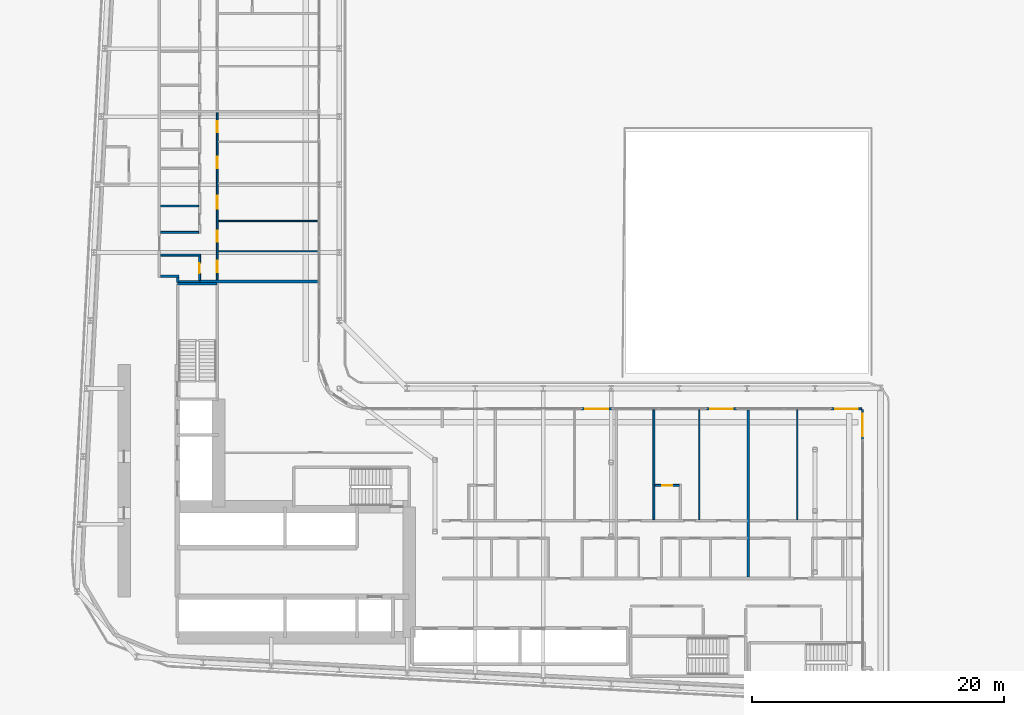
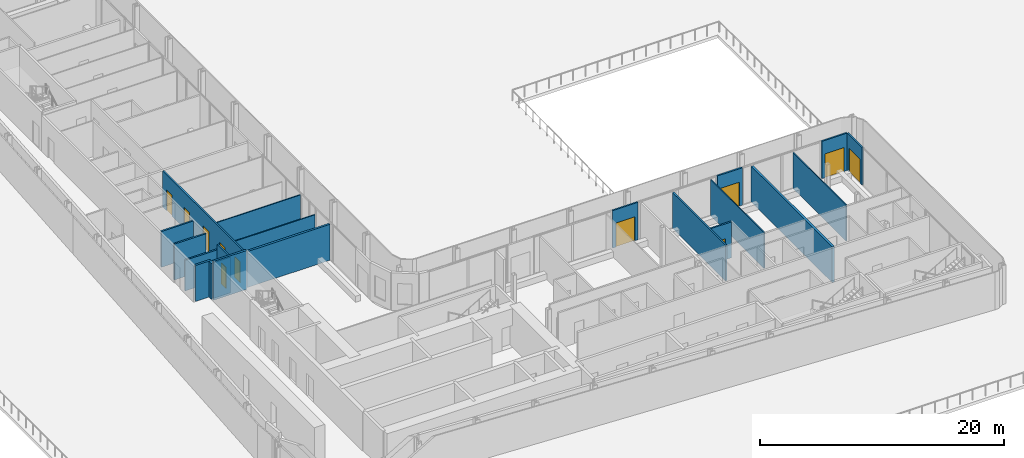
# One storey, part 16 of 27: 21 walls, 11 doors, 11 openings.
"""IFC4 building model written with IfcOpenShell, lengths in metres."""

from ifc_helpers import new_model, si_unit, direction, frame, frame_2d, origin, place, context, subcontext, project, spatial, rectangle, extrude, source, transform, mapped, material, layer, layer_set, type_object, element, fill, save


model = new_model("IFC4")

# Units and contexts
model_context = context("Model", 3, precision=1e-05, world=origin(), true_north=direction((0.0, 1.0)))
body_context = subcontext(model_context, "Body", "Model", "MODEL_VIEW")
ifc_project = project(units=[si_unit("LENGTHUNIT", "METRE"), si_unit("AREAUNIT", "SQUARE_METRE"), si_unit("VOLUMEUNIT", "CUBIC_METRE"), si_unit("PLANEANGLEUNIT", "RADIAN"), si_unit("MASSUNIT", "GRAM", prefix="KILO")], contexts=[model_context])

# Site, building, storey
site_placement = place(None, origin())
site = spatial("IfcSite", under=ifc_project, at=site_placement, CompositionType="ELEMENT")
building_placement = place(site_placement, origin())
building = spatial("IfcBuilding", under=site, at=building_placement, Name="Kheshtan School and Residences Tower", CompositionType="ELEMENT")
storey_placement = place(building_placement, frame((0.0, 0.0, 30.5)))
storey = spatial("IfcBuildingStorey", under=building, at=storey_placement, Name="L06", CompositionType="ELEMENT", Elevation=30.5)

# Walls
ifc_material_1 = material(Name="Gypsum board on steel studs with fire boards", Category="steel")
ifc_layer_1 = layer(ifc_material_1, 0.199951171875)
ifc_layer_set_1 = layer_set([ifc_layer_1], Name="Corridor wall 200")
wall_type_1 = type_object("IfcWallType", Name="Corridor wall 200", PredefinedType="PARTITIONING", material=ifc_layer_set_1)
wall_1_placement = place(storey_placement, frame((33.39990234375, 54.5, 0.0), z_axis=(0.0, 0.0, 1.0), x_axis=(1.0, 0.0, 0.0)))
element("IfcWall", 1, at=wall_1_placement, inside=storey, type_object=wall_type_1, Name="Partition L06-005", PredefinedType="PARTITIONING", context=body_context, shape_type="SweptSolid", body=[
    extrude(rectangle(XDim=1.4501953125, YDim=0.199951171875, at=frame_2d((0.72509765625, 0.0))), origin(), (0.0, 0.0, 1.0), 3.60009765625),
])
wall_2_placement = place(storey_placement, frame((34.75, 54.02490234375, 0.0), z_axis=(0.0, 0.0, 1.0), x_axis=(0.0, 1.0, 0.0)))
element("IfcWall", 2, at=wall_2_placement, inside=storey, type_object=wall_type_1, Name="Partition L06-019", PredefinedType="PARTITIONING", context=body_context, shape_type="SweptSolid", body=[
    extrude(rectangle(XDim=0.375, YDim=0.199951171875, at=frame_2d((0.1875, 0.0))), origin(), (0.0, 0.0, 1.0), 3.60009765625),
])

# Wall, opening, door
ifc_material_2 = material(Name="Aluminium frame wall with insulated infill", Category="aluminium")
ifc_layer_2 = layer(ifc_material_2, 0.14990234375)
ifc_layer_set_2 = layer_set([ifc_layer_2], Name="Glazing frame wall 150")
wall_type_2 = type_object("IfcWallType", Name="Glazing frame wall 150", PredefinedType="SOLIDWALL", material=ifc_layer_set_2)
wall_3_placement = place(storey_placement, frame((66.864990234375, 43.97509765625, 0.0), z_axis=(0.0, 0.0, 1.0), x_axis=(1.0, 0.0, 0.0)))
wall_3 = element("IfcWall", 3, at=wall_3_placement, inside=storey, type_object=wall_type_2, Name="Balcony door wall L06 12.2", PredefinedType="SOLIDWALL", context=body_context, shape_type="SweptSolid", body=[
    extrude(rectangle(XDim=2.39990234375, YDim=0.14990234375, at=frame_2d((1.199951171875, 0.0))), origin(), (0.0, 0.0, 1.0), 3.75),
])
opening_1_placement = place(wall_3_placement, frame((0.300048828125, 0.0, 0.0)))
opening_1 = element("IfcOpeningElement", 4, at=opening_1_placement, cuts=wall_3, Name="Opening BD", PredefinedType="OPENING", context=body_context, shape_type="SweptSolid", body=[
    extrude(rectangle(XDim=1.800048828125, YDim=2.39990234375, at=frame_2d((0.89990234375, 1.199951171875))), frame((0.0, 0.0849609375, 0.0), z_axis=(0.0, -1.0, 0.0), x_axis=(1.0, 0.0, 0.0)), (0.0, 0.0, 1.0), 0.169921875),
])
ifc_material_3 = material(Name="Clear low-e glass in thermally broken aluminium frame", Category="aluminium")
door_type_1 = type_object("IfcDoorType", Name="Balcony sliding door", OperationType="SLIDING_TO_LEFT", PredefinedType="DOOR", material=ifc_material_3)
shared_shape_1 = source(origin(), body_context, "Body", "SweptSolid", [
    extrude(rectangle(XDim=1.800048828125, YDim=2.39990234375, at=frame_2d((0.89990234375, 1.199951171875))), frame((0.0, 0.02490234375, 0.0), z_axis=(0.0, -1.0, 0.0), x_axis=(1.0, 0.0, 0.0)), (0.0, 0.0, 1.0), 0.050048828125),
])
door_1_placement = place(opening_1_placement, origin())
door_1 = element("IfcDoor", 5, at=door_1_placement, inside=storey, type_object=door_type_1, Name="Balcony door L06 12.2", OperationType="SLIDING_TO_LEFT", OverallHeight=2.39990234375, OverallWidth=1.800048828125, PredefinedType="DOOR", context=body_context, shape_type="MappedRepresentation", body=[
    mapped(shared_shape_1, transform((0.0, 0.0, 0.0), x_axis=(1.0, 0.0, 0.0), y_axis=(0.0, 1.0, 0.0), z_axis=(0.0, 0.0, 1.0), scale=1.0)),
])
fill(opening_1, door_1)

wall_4_placement = place(storey_placement, frame((76.781982421875, 43.97509765625, 0.0), z_axis=(0.0, 0.0, 1.0), x_axis=(1.0, 0.0, 0.0)))
wall_4 = element("IfcWall", 6, at=wall_4_placement, inside=storey, type_object=wall_type_2, Name="Balcony door wall L06 12.3", PredefinedType="SOLIDWALL", context=body_context, shape_type="SweptSolid", body=[
    extrude(rectangle(XDim=2.39990234375, YDim=0.14990234375, at=frame_2d((1.199951171875, 0.0))), origin(), (0.0, 0.0, 1.0), 3.75),
])
opening_2_placement = place(wall_4_placement, frame((0.300048828125, 0.0, 0.0)))
opening_2 = element("IfcOpeningElement", 7, at=opening_2_placement, cuts=wall_4, Name="Opening BD", PredefinedType="OPENING", context=body_context, shape_type="SweptSolid", body=[
    extrude(rectangle(XDim=1.800048828125, YDim=2.39990234375, at=frame_2d((0.89990234375, 1.199951171875))), frame((0.0, 0.0849609375, 0.0), z_axis=(0.0, -1.0, 0.0), x_axis=(1.0, 0.0, 0.0)), (0.0, 0.0, 1.0), 0.169921875),
])
door_2_placement = place(opening_2_placement, origin())
door_2 = element("IfcDoor", 8, at=door_2_placement, inside=storey, type_object=door_type_1, Name="Balcony door L06 12.3", OperationType="SLIDING_TO_LEFT", OverallHeight=2.39990234375, OverallWidth=1.800048828125, PredefinedType="DOOR", context=body_context, shape_type="MappedRepresentation", body=[
    mapped(shared_shape_1, transform((0.0, 0.0, 0.0), x_axis=(1.0, 0.0, 0.0), y_axis=(0.0, 1.0, 0.0), z_axis=(0.0, 0.0, 1.0), scale=1.0)),
])
fill(opening_2, door_2)

wall_5_placement = place(storey_placement, frame((86.699951171875, 43.97509765625, 0.0), z_axis=(0.0, 0.0, 1.0), x_axis=(1.0, 0.0, 0.0)))
wall_5 = element("IfcWall", 9, at=wall_5_placement, inside=storey, type_object=wall_type_2, Name="Balcony door wall L06 12.4", PredefinedType="SOLIDWALL", context=body_context, shape_type="SweptSolid", body=[
    extrude(rectangle(XDim=2.400146484375, YDim=0.14990234375, at=frame_2d((1.2001953125, 0.0))), origin(), (0.0, 0.0, 1.0), 3.75),
])
opening_3_placement = place(wall_5_placement, frame((0.300048828125, 0.0, 0.0)))
opening_3 = element("IfcOpeningElement", 10, at=opening_3_placement, cuts=wall_5, Name="Opening BD", PredefinedType="OPENING", context=body_context, shape_type="SweptSolid", body=[
    extrude(rectangle(XDim=1.800048828125, YDim=2.39990234375, at=frame_2d((0.89990234375, 1.199951171875))), frame((0.0, 0.0849609375, 0.0), z_axis=(0.0, -1.0, 0.0), x_axis=(1.0, 0.0, 0.0)), (0.0, 0.0, 1.0), 0.169921875),
])
door_3_placement = place(opening_3_placement, origin())
door_3 = element("IfcDoor", 11, at=door_3_placement, inside=storey, type_object=door_type_1, Name="Balcony door L06 12.4", OperationType="SLIDING_TO_LEFT", OverallHeight=2.39990234375, OverallWidth=1.800048828125, PredefinedType="DOOR", context=body_context, shape_type="MappedRepresentation", body=[
    mapped(shared_shape_1, transform((0.0, 0.0, 0.0), x_axis=(1.0, 0.0, 0.0), y_axis=(0.0, 1.0, 0.0), z_axis=(0.0, 0.0, 1.0), scale=1.0)),
])
fill(opening_3, door_3)

wall_6_placement = place(storey_placement, frame((89.175048828125, 43.89990234375, 0.0), z_axis=(0.0, 0.0, 1.0), x_axis=(0.0, -1.0, 0.0)))
wall_6 = element("IfcWall", 12, at=wall_6_placement, inside=storey, type_object=wall_type_2, Name="Balcony door wall L06 13.1", PredefinedType="SOLIDWALL", context=body_context, shape_type="SweptSolid", body=[
    extrude(rectangle(XDim=2.39990234375, YDim=0.14990234375, at=frame_2d((1.199951171875, 0.0))), origin(), (0.0, 0.0, 1.0), 3.75),
])
opening_4_placement = place(wall_6_placement, frame((0.300048828125, 0.0, 0.0)))
opening_4 = element("IfcOpeningElement", 13, at=opening_4_placement, cuts=wall_6, Name="Opening BD", PredefinedType="OPENING", context=body_context, shape_type="SweptSolid", body=[
    extrude(rectangle(XDim=1.800048828125, YDim=2.39990234375, at=frame_2d((0.89990234375, 1.199951171875))), frame((0.0, 0.0849609375, 0.0), z_axis=(0.0, -1.0, 0.0), x_axis=(1.0, 0.0, 0.0)), (0.0, 0.0, 1.0), 0.169921875),
])
door_4_placement = place(opening_4_placement, origin())
door_4 = element("IfcDoor", 14, at=door_4_placement, inside=storey, type_object=door_type_1, Name="Balcony door L06 13.1", OperationType="SLIDING_TO_LEFT", OverallHeight=2.39990234375, OverallWidth=1.800048828125, PredefinedType="DOOR", context=body_context, shape_type="MappedRepresentation", body=[
    mapped(shared_shape_1, transform((0.0, 0.0, 0.0), x_axis=(1.0, 0.0, 0.0), y_axis=(0.0, 1.0, 0.0), z_axis=(0.0, 0.0, 1.0), scale=1.0)),
])
fill(opening_4, door_4)

# Walls
ifc_material_4 = material(Name="Gypsum board on steel studs", Category="steel")
ifc_layer_3 = layer(ifc_material_4, 0.10009765625)
ifc_layer_set_3 = layer_set([ifc_layer_3], Name="Gypsum partition 100")
wall_type_3 = type_object("IfcWallType", Name="Gypsum partition 100", PredefinedType="PARTITIONING", material=ifc_layer_set_3)
wall_7_placement = place(storey_placement, frame((37.97509765625, 56.5, 0.0), z_axis=(0.0, 0.0, 1.0), x_axis=(1.0, 0.0, 0.0)))
element("IfcWall", 15, at=wall_7_placement, inside=storey, type_object=wall_type_3, Name="Partition L06-036", PredefinedType="PARTITIONING", context=body_context, shape_type="SweptSolid", body=[
    extrude(rectangle(XDim=7.9248046875, YDim=0.10009765625, at=frame_2d((3.96240234375, 0.0))), origin(), (0.0, 0.0, 1.0), 3.072021484375),
])
wall_8_placement = place(storey_placement, frame((37.97509765625, 58.89990234375, 0.0), z_axis=(0.0, 0.0, 1.0), x_axis=(1.0, 0.0, 0.0)))
element("IfcWall", 16, at=wall_8_placement, inside=storey, type_object=wall_type_3, Name="Partition L06-037", PredefinedType="PARTITIONING", context=body_context, shape_type="SweptSolid", body=[
    extrude(rectangle(XDim=7.9248046875, YDim=0.10009765625, at=frame_2d((3.96240234375, 0.0))), origin(), (0.0, 0.0, 1.0), 3.60009765625),
])
for number, where, z_axis, x_axis, name in (
    (17, (76.199951171875, 35.175048828125, 0.0), (0.0, 0.0, 1.0), (0.0, 1.0, 0.0), "Partition L06-068"),
    (18, (84.0, 35.175048828125, 0.0), (0.0, 0.0, 1.0), (0.0, 1.0, 0.0), "Partition L06-074"),
):
    element("IfcWall", number, at=place(storey_placement, frame(where, z_axis=z_axis, x_axis=x_axis)), inside=storey, type_object=wall_type_3, Name=name, PredefinedType="PARTITIONING", context=body_context, shape_type="SweptSolid", body=[
        extrude(rectangle(XDim=8.724853515625, YDim=0.10009765625, at=frame_2d((4.3623046875, 0.0))), origin(), (0.0, 0.0, 1.0), 3.60009765625),
    ])
ifc_material_5 = material(Name="Concrete C40/50", Category="concrete")
ifc_layer_4 = layer(ifc_material_5, 0.199951171875)
ifc_layer_set_4 = layer_set([ifc_layer_4], Name="Stair enclosure wall 200 Concrete C40/50")
wall_type_4 = type_object("IfcWallType", Name="Stair enclosure wall 200 Concrete C40/50", PredefinedType="SHEAR", material=ifc_layer_set_4)
wall_9_placement = place(storey_placement, frame((34.75, 53.909912109375, 0.0), z_axis=(0.0, 0.0, 1.0), x_axis=(1.0, 0.0, 0.0)))
element("IfcWall", 19, at=wall_9_placement, inside=storey, type_object=wall_type_4, Name="Stair enclosure wall ST2", PredefinedType="SHEAR", context=body_context, shape_type="SweptSolid", body=[
    extrude(rectangle(XDim=3.14990234375, YDim=0.199951171875, at=frame_2d((1.574951171875, 0.0))), origin(), (0.0, 0.0, 1.0), 3.89990234375),
])
ifc_material_6 = material(Name="Twin gypsum board on steel studs with mineral wool", Category="steel")
ifc_layer_5 = layer(ifc_material_6, 0.199951171875)
ifc_layer_set_5 = layer_set([ifc_layer_5], Name="Unit demising wall 200")
wall_type_5 = type_object("IfcWallType", Name="Unit demising wall 200", PredefinedType="PARTITIONING", material=ifc_layer_set_5)
wall_10_placement = place(storey_placement, frame((36.5, 54.10009765625, 0.0), z_axis=(0.0, 0.0, 1.0), x_axis=(1.0, 0.0, 0.0)))
element("IfcWall", 20, at=wall_10_placement, inside=storey, type_object=wall_type_5, Name="Partition L06-023", PredefinedType="PARTITIONING", context=body_context, shape_type="SweptSolid", body=[
    extrude(rectangle(XDim=9.39990234375, YDim=0.199951171875, at=frame_2d((4.699951171875, 0.0))), origin(), (0.0, 0.0, 1.0), 3.60009765625),
])
wall_11_placement = place(storey_placement, frame((80.10009765625, 30.60009765625, 0.0), z_axis=(0.0, 0.0, 1.0), x_axis=(0.0, 1.0, 0.0)))
element("IfcWall", 21, at=wall_11_placement, inside=storey, type_object=wall_type_5, Name="Partition L06-070", PredefinedType="PARTITIONING", context=body_context, shape_type="SweptSolid", body=[
    extrude(rectangle(XDim=13.2998046875, YDim=0.199951171875, at=frame_2d((6.64990234375, 0.0))), origin(), (0.0, 0.0, 1.0), 3.60009765625),
])
ifc_material_7 = material(Name="Moisture-resistant gypsum board on steel studs", Category="steel")
ifc_layer_6 = layer(ifc_material_7, 0.14990234375)
ifc_layer_set_6 = layer_set([ifc_layer_6], Name="Wet-room partition 150")
wall_type_6 = type_object("IfcWallType", Name="Wet-room partition 150", PredefinedType="PARTITIONING", material=ifc_layer_set_6)
wall_12_placement = place(storey_placement, frame((33.39990234375, 56.199951171875, 0.0), z_axis=(0.0, 0.0, 1.0), x_axis=(1.0, 0.0, 0.0)))
element("IfcWall", 22, at=wall_12_placement, inside=storey, type_object=wall_type_6, Name="Partition L06-006", PredefinedType="PARTITIONING", context=body_context, shape_type="SweptSolid", body=[
    extrude(rectangle(XDim=3.175048828125, YDim=0.14990234375, at=frame_2d((1.58740234375, 0.0))), origin(), (0.0, 0.0, 1.0), 3.072021484375),
])
for number, where, z_axis, x_axis, name in (
    (23, (33.39990234375, 58.0, 0.0), (0.0, 0.0, 1.0), (1.0, 0.0, 0.0), "Partition L06-007"),
    (24, (33.39990234375, 60.10009765625, 0.0), (0.0, 0.0, 1.0), (1.0, 0.0, 0.0), "Partition L06-008"),
):
    element("IfcWall", number, at=place(storey_placement, frame(where, z_axis=z_axis, x_axis=x_axis)), inside=storey, type_object=wall_type_6, Name=name, PredefinedType="PARTITIONING", context=body_context, shape_type="SweptSolid", body=[
        extrude(rectangle(XDim=3.025146484375, YDim=0.14990234375, at=frame_2d((1.5126953125, 0.0))), origin(), (0.0, 0.0, 1.0), 3.60009765625),
    ])
wall_13_placement = place(storey_placement, frame((34.85009765625, 54.10009765625, 0.0), z_axis=(0.0, 0.0, 1.0), x_axis=(1.0, 0.0, 0.0)))
element("IfcWall", 25, at=wall_13_placement, inside=storey, type_object=wall_type_6, Name="Partition L06-020", PredefinedType="PARTITIONING", context=body_context, shape_type="SweptSolid", body=[
    extrude(rectangle(XDim=1.64990234375, YDim=0.14990234375, at=frame_2d((0.824951171875, 0.0))), origin(), (0.0, 0.0, 1.0), 3.60009765625),
])

# Wall, opening, door
wall_14_placement = place(storey_placement, frame((36.5, 54.199951171875, 0.0), z_axis=(0.0, 0.0, 1.0), x_axis=(0.0, 1.0, 0.0)))
wall_14 = element("IfcWall", 26, at=wall_14_placement, inside=storey, type_object=wall_type_6, Name="Partition L06-024", PredefinedType="PARTITIONING", context=body_context, shape_type="SweptSolid", body=[
    extrude(rectangle(XDim=1.925048828125, YDim=0.14990234375, at=frame_2d((0.96240234375, 0.0))), origin(), (0.0, 0.0, 1.0), 3.60009765625),
])
opening_5_placement = place(wall_14_placement, frame((0.550048828125, 0.0, 0.0)))
opening_5 = element("IfcOpeningElement", 27, at=opening_5_placement, cuts=wall_14, Name="Opening D06-025", PredefinedType="OPENING", context=body_context, shape_type="SweptSolid", body=[
    extrude(rectangle(XDim=0.800048828125, YDim=2.10009765625, at=frame_2d((0.39990234375, 1.050048828125))), frame((0.0, 0.0849609375, 0.0), z_axis=(0.0, -1.0, 0.0), x_axis=(1.0, 0.0, 0.0)), (0.0, 0.0, 1.0), 0.169921875),
])
ifc_material_8 = material(Name="Veneered timber door leaf", Category="wood")
door_type_2 = type_object("IfcDoorType", Name="Door 800 x 2100", OperationType="SINGLE_SWING_LEFT", PredefinedType="DOOR", material=ifc_material_8)
shared_shape_2 = source(origin(), body_context, "Body", "SweptSolid", [
    extrude(rectangle(XDim=0.800048828125, YDim=2.10009765625, at=frame_2d((0.39990234375, 1.050048828125))), frame((0.0, 0.02490234375, 0.0), z_axis=(0.0, -1.0, 0.0), x_axis=(1.0, 0.0, 0.0)), (0.0, 0.0, 1.0), 0.050048828125),
])
door_5_placement = place(opening_5_placement, origin())
door_5 = element("IfcDoor", 28, at=door_5_placement, inside=storey, type_object=door_type_2, Name="Door D06-025", OperationType="SINGLE_SWING_RIGHT", OverallHeight=2.10009765625, OverallWidth=0.800048828125, PredefinedType="DOOR", context=body_context, shape_type="MappedRepresentation", body=[
    mapped(shared_shape_2, transform((0.0, 0.0, 0.0), x_axis=(1.0, 0.0, 0.0), y_axis=(0.0, 1.0, 0.0), z_axis=(0.0, 0.0, 1.0), scale=1.0)),
])
fill(opening_5, door_5)

# Wall, openings, doors
wall_15_placement = place(storey_placement, frame((37.89990234375, 54.199951171875, 0.0), z_axis=(0.0, 0.0, 1.0), x_axis=(0.0, 1.0, 0.0)))
wall_15 = element("IfcWall", 29, at=wall_15_placement, inside=storey, type_object=wall_type_6, Name="Partition L06-032", PredefinedType="PARTITIONING", context=body_context, shape_type="SweptSolid", body=[
    extrude(rectangle(XDim=13.300048828125, YDim=0.14990234375, at=frame_2d((6.64990234375, 0.0))), origin(), (0.0, 0.0, 1.0), 3.60009765625),
])
opening_6_placement = place(wall_15_placement, frame((3.050048828125, 0.0, 0.0)))
opening_6 = element("IfcOpeningElement", 30, at=opening_6_placement, cuts=wall_15, Name="Opening D06-027", PredefinedType="OPENING", context=body_context, shape_type="SweptSolid", body=[
    extrude(rectangle(XDim=0.89990234375, YDim=2.10009765625, at=frame_2d((0.449951171875, 1.050048828125))), frame((0.0, 0.0849609375, 0.0), z_axis=(0.0, -1.0, 0.0), x_axis=(1.0, 0.0, 0.0)), (0.0, 0.0, 1.0), 0.169921875),
])
opening_7_placement = place(wall_15_placement, frame((11.75, 0.0, 0.0)))
opening_7 = element("IfcOpeningElement", 31, at=opening_7_placement, cuts=wall_15, Name="Opening D06-028", PredefinedType="OPENING", context=body_context, shape_type="SweptSolid", body=[
    extrude(rectangle(XDim=0.89990234375, YDim=2.10009765625, at=frame_2d((0.449951171875, 1.050048828125))), frame((0.0, 0.0849609375, 0.0), z_axis=(0.0, -1.0, 0.0), x_axis=(1.0, 0.0, 0.0)), (0.0, 0.0, 1.0), 0.169921875),
])
opening_8_placement = place(wall_15_placement, frame((5.699951171875, 0.0, 0.0)))
opening_8 = element("IfcOpeningElement", 32, at=opening_8_placement, cuts=wall_15, Name="Opening D06-031", PredefinedType="OPENING", context=body_context, shape_type="SweptSolid", body=[
    extrude(rectangle(XDim=1.0, YDim=2.10009765625, at=frame_2d((0.5, 1.050048828125))), frame((0.0, 0.0849609375, 0.0), z_axis=(0.0, -1.0, 0.0), x_axis=(1.0, 0.0, 0.0)), (0.0, 0.0, 1.0), 0.169921875),
])
opening_9_placement = place(wall_15_placement, frame((0.64990234375, 0.0, 0.0)))
opening_9 = element("IfcOpeningElement", 33, at=opening_9_placement, cuts=wall_15, Name="Opening D06-034", PredefinedType="OPENING", context=body_context, shape_type="SweptSolid", body=[
    extrude(rectangle(XDim=0.89990234375, YDim=2.10009765625, at=frame_2d((0.449951171875, 1.050048828125))), frame((0.0, 0.0849609375, 0.0), z_axis=(0.0, -1.0, 0.0), x_axis=(1.0, 0.0, 0.0)), (0.0, 0.0, 1.0), 0.169921875),
])
opening_10_placement = place(wall_15_placement, frame((8.89990234375, 0.0, 0.0)))
opening_10 = element("IfcOpeningElement", 34, at=opening_10_placement, cuts=wall_15, Name="Opening D06-035", PredefinedType="OPENING", context=body_context, shape_type="SweptSolid", body=[
    extrude(rectangle(XDim=0.89990234375, YDim=2.10009765625, at=frame_2d((0.449951171875, 1.050048828125))), frame((0.0, 0.0849609375, 0.0), z_axis=(0.0, -1.0, 0.0), x_axis=(1.0, 0.0, 0.0)), (0.0, 0.0, 1.0), 0.169921875),
])
door_type_3 = type_object("IfcDoorType", Name="Door 1000 x 2100", OperationType="SINGLE_SWING_LEFT", PredefinedType="DOOR", material=ifc_material_8)
shared_shape_3 = source(origin(), body_context, "Body", "SweptSolid", [
    extrude(rectangle(XDim=1.0, YDim=2.10009765625, at=frame_2d((0.5, 1.050048828125))), frame((0.0, 0.02490234375, 0.0), z_axis=(0.0, -1.0, 0.0), x_axis=(1.0, 0.0, 0.0)), (0.0, 0.0, 1.0), 0.050048828125),
])
door_6_placement = place(opening_8_placement, origin())
door_6 = element("IfcDoor", 35, at=door_6_placement, inside=storey, type_object=door_type_3, Name="Door D06-031", OperationType="SINGLE_SWING_RIGHT", OverallHeight=2.10009765625, OverallWidth=1.0, PredefinedType="DOOR", context=body_context, shape_type="MappedRepresentation", body=[
    mapped(shared_shape_3, transform((0.0, 0.0, 0.0), x_axis=(1.0, 0.0, 0.0), y_axis=(0.0, 1.0, 0.0), z_axis=(0.0, 0.0, 1.0), scale=1.0)),
])
fill(opening_8, door_6)
door_type_4 = type_object("IfcDoorType", Name="Door 900 x 2100", OperationType="SINGLE_SWING_LEFT", PredefinedType="DOOR", material=ifc_material_8)
shared_shape_4 = source(origin(), body_context, "Body", "SweptSolid", [
    extrude(rectangle(XDim=0.89990234375, YDim=2.10009765625, at=frame_2d((0.449951171875, 1.050048828125))), frame((0.0, 0.02490234375, 0.0), z_axis=(0.0, -1.0, 0.0), x_axis=(1.0, 0.0, 0.0)), (0.0, 0.0, 1.0), 0.050048828125),
])
door_7_placement = place(opening_6_placement, origin())
door_7 = element("IfcDoor", 36, at=door_7_placement, inside=storey, type_object=door_type_4, Name="Door D06-027", OperationType="SINGLE_SWING_LEFT", OverallHeight=2.10009765625, OverallWidth=0.89990234375, PredefinedType="DOOR", context=body_context, shape_type="MappedRepresentation", body=[
    mapped(shared_shape_4, transform((0.0, 0.0, 0.0), x_axis=(1.0, 0.0, 0.0), y_axis=(0.0, 1.0, 0.0), z_axis=(0.0, 0.0, 1.0), scale=1.0)),
])
fill(opening_6, door_7)
door_8_placement = place(opening_7_placement, origin())
door_8 = element("IfcDoor", 37, at=door_8_placement, inside=storey, type_object=door_type_4, Name="Door D06-028", OperationType="SINGLE_SWING_LEFT", OverallHeight=2.10009765625, OverallWidth=0.89990234375, PredefinedType="DOOR", context=body_context, shape_type="MappedRepresentation", body=[
    mapped(shared_shape_4, transform((0.0, 0.0, 0.0), x_axis=(1.0, 0.0, 0.0), y_axis=(0.0, 1.0, 0.0), z_axis=(0.0, 0.0, 1.0), scale=1.0)),
])
fill(opening_7, door_8)
door_9_placement = place(opening_9_placement, origin())
door_9 = element("IfcDoor", 38, at=door_9_placement, inside=storey, type_object=door_type_4, Name="Door D06-034", OperationType="SINGLE_SWING_RIGHT", OverallHeight=2.10009765625, OverallWidth=0.89990234375, PredefinedType="DOOR", context=body_context, shape_type="MappedRepresentation", body=[
    mapped(shared_shape_4, transform((0.0, 0.0, 0.0), x_axis=(1.0, 0.0, 0.0), y_axis=(0.0, 1.0, 0.0), z_axis=(0.0, 0.0, 1.0), scale=1.0)),
])
fill(opening_9, door_9)
door_10_placement = place(opening_10_placement, origin())
door_10 = element("IfcDoor", 39, at=door_10_placement, inside=storey, type_object=door_type_4, Name="Door D06-035", OperationType="SINGLE_SWING_LEFT", OverallHeight=2.10009765625, OverallWidth=0.89990234375, PredefinedType="DOOR", context=body_context, shape_type="MappedRepresentation", body=[
    mapped(shared_shape_4, transform((0.0, 0.0, 0.0), x_axis=(1.0, 0.0, 0.0), y_axis=(0.0, 1.0, 0.0), z_axis=(0.0, 0.0, 1.0), scale=1.0)),
])
fill(opening_10, door_10)

# Wall
wall_16_placement = place(storey_placement, frame((72.60009765625, 35.175048828125, 0.0), z_axis=(0.0, 0.0, 1.0), x_axis=(0.0, 1.0, 0.0)))
element("IfcWall", 40, at=wall_16_placement, inside=storey, type_object=wall_type_6, Name="Partition L06-062", PredefinedType="PARTITIONING", context=body_context, shape_type="SweptSolid", body=[
    extrude(rectangle(XDim=8.724853515625, YDim=0.14990234375, at=frame_2d((4.3623046875, 0.0))), origin(), (0.0, 0.0, 1.0), 3.60009765625),
])

# Wall, opening, door
wall_17_placement = place(storey_placement, frame((72.675048828125, 37.89990234375, 0.0), z_axis=(0.0, 0.0, 1.0), x_axis=(1.0, 0.0, 0.0)))
wall_17 = element("IfcWall", 41, at=wall_17_placement, inside=storey, type_object=wall_type_6, Name="Partition L06-063", PredefinedType="PARTITIONING", context=body_context, shape_type="SweptSolid", body=[
    extrude(rectangle(XDim=1.949951171875, YDim=0.14990234375, at=frame_2d((0.97509765625, 0.0))), origin(), (0.0, 0.0, 1.0), 3.60009765625),
])
opening_11_placement = place(wall_17_placement, frame((0.574951171875, 0.0, 0.0)))
opening_11 = element("IfcOpeningElement", 42, at=opening_11_placement, cuts=wall_17, Name="Opening D06-012", PredefinedType="OPENING", context=body_context, shape_type="SweptSolid", body=[
    extrude(rectangle(XDim=0.800048828125, YDim=2.10009765625, at=frame_2d((0.39990234375, 1.050048828125))), frame((0.0, 0.0849609375, 0.0), z_axis=(0.0, -1.0, 0.0), x_axis=(1.0, 0.0, 0.0)), (0.0, 0.0, 1.0), 0.169921875),
])
door_11_placement = place(opening_11_placement, origin())
door_11 = element("IfcDoor", 43, at=door_11_placement, inside=storey, type_object=door_type_2, Name="Door D06-012", OperationType="SINGLE_SWING_LEFT", OverallHeight=2.10009765625, OverallWidth=0.800048828125, PredefinedType="DOOR", context=body_context, shape_type="MappedRepresentation", body=[
    mapped(shared_shape_2, transform((0.0, 0.0, 0.0), x_axis=(1.0, 0.0, 0.0), y_axis=(0.0, 1.0, 0.0), z_axis=(0.0, 0.0, 1.0), scale=1.0)),
])
fill(opening_11, door_11)

save(model, "model.ifc")
